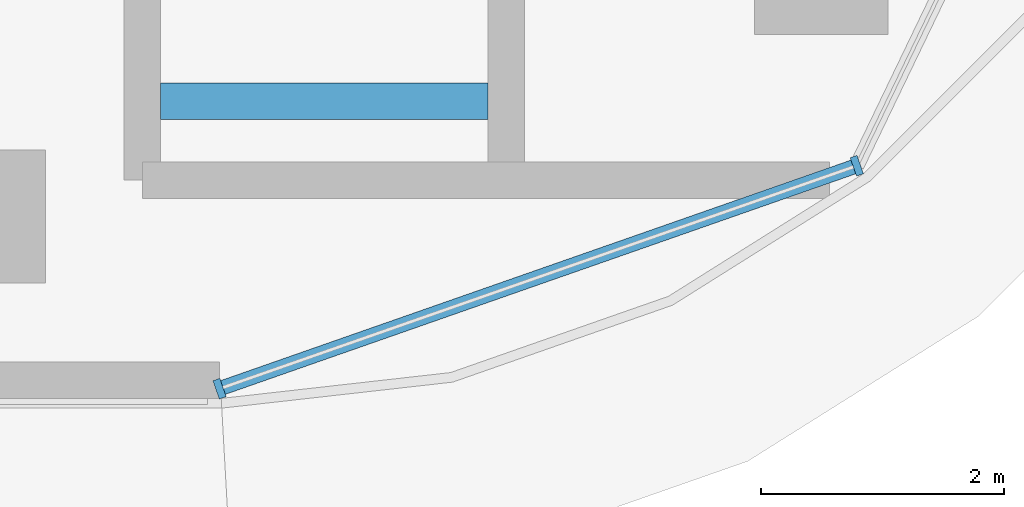
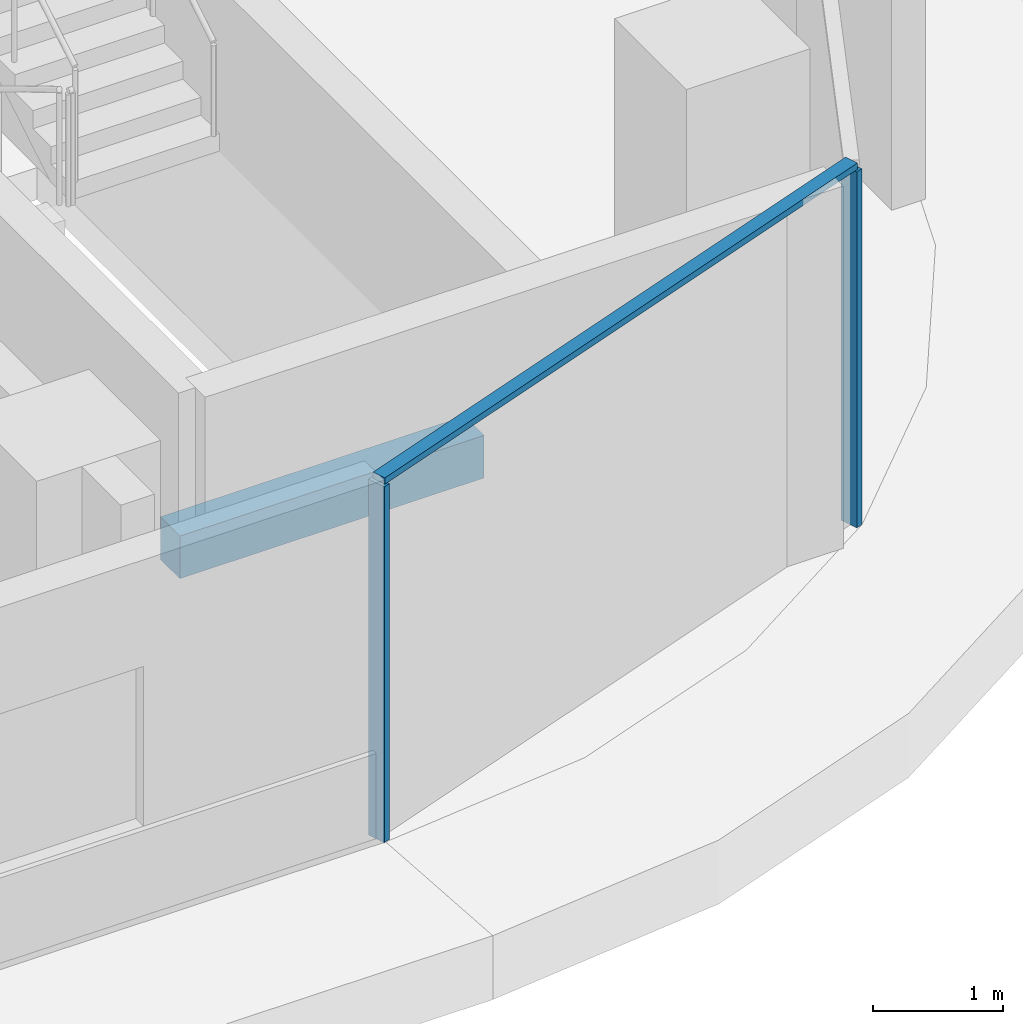
# One storey, part 3 of 24: 3 members, 1 beam, 1 element without a shape of its own.
"""IFC4 building model written with IfcOpenShell, lengths in metres."""

from ifc_helpers import new_model, si_unit, direction, frame, origin, origin_2d, place, context, subcontext, project, spatial, rectangle, extrude, material, material_profile, profile_set, type_object, element, aggregate, save


model = new_model("IFC4")

# Units and contexts
model_context = context("Model", 3, precision=1e-05, world=origin(), true_north=direction((0.0, 1.0)))
body_context = subcontext(model_context, "Body", "Model", "MODEL_VIEW")
ifc_project = project(units=[si_unit("LENGTHUNIT", "METRE"), si_unit("AREAUNIT", "SQUARE_METRE"), si_unit("VOLUMEUNIT", "CUBIC_METRE"), si_unit("PLANEANGLEUNIT", "RADIAN"), si_unit("MASSUNIT", "GRAM", prefix="KILO")], contexts=[model_context])

# Site, building, storey
site_placement = place(None, origin())
site = spatial("IfcSite", under=ifc_project, at=site_placement, CompositionType="ELEMENT")
building_placement = place(site_placement, origin())
building = spatial("IfcBuilding", under=site, at=building_placement, Name="Ogive Portal Towers", CompositionType="ELEMENT")
storey_placement = place(building_placement, frame((0.0, 0.0, 142.199951171875)))
storey = spatial("IfcBuildingStorey", under=building, at=storey_placement, Name="L34", CompositionType="ELEMENT", Elevation=142.199951171875)

# Beam
ifc_material_1 = material(Name="Concrete C40/50", Category="concrete")
ifc_material_profile_1 = material_profile(ifc_material_1, rectangle(XDim=0.300048828125, YDim=0.39990234375, at=origin_2d()), Name="RC 300x400")
ifc_profile_set_1 = profile_set([ifc_material_profile_1], Name="Concrete C40/50")
beam_type = type_object("IfcBeamType", Name="BEAM RC 300x400", PredefinedType="BEAM", material=ifc_profile_set_1)
beam_placement = place(storey_placement, frame((87.0, 22.449951171875, 1.449951171875), z_axis=(1.0, 0.0, 0.0), x_axis=(0.0, 1.0, 0.0)))
element("IfcBeam", 1, at=beam_placement, inside=storey, type_object=beam_type, Name="Landing beam L34", PredefinedType="BEAM", context=body_context, shape_type="SweptSolid", body=[
    extrude(rectangle(XDim=0.300048828125, YDim=0.39990234375, at=origin_2d()), origin(), (0.0, 0.0, 1.0), 2.699951171875),
])

# Curtain wall, members
ifc_material_2 = material(Name="Glass, clear low-iron insulated glazing", Category="glass")
curtain_wall_type = type_object("IfcCurtainWallType", Name="CW FRONT RIBBON 4500", PredefinedType="NOTDEFINED", material=ifc_material_2)
curtain_wall_placement = place(storey_placement, origin())
curtain_wall = element("IfcCurtainWall", 2, at=curtain_wall_placement, inside=storey, type_object=curtain_wall_type, Name="A:L34:f07:cwa", PredefinedType="NOTDEFINED")
ifc_material_3 = material(Name="Aluminium 6063 anodised", Category="aluminium")
ifc_material_profile_2 = material_profile(ifc_material_3, rectangle(XDim=0.159912109375, YDim=0.06005859375, at=origin_2d()), Name="AL 60x160")
ifc_profile_set_2 = profile_set([ifc_material_profile_2], Name="Aluminium 6063 anodised")
member_type_1 = type_object("IfcMemberType", Name="CW MULLION 60x160", PredefinedType="MULLION", material=ifc_profile_set_2)
member_1_placement = place(storey_placement, frame((87.486328125, 20.080078125, 0.0), z_axis=(0.0, 0.0, 1.0), x_axis=(-0.33027906196, 0.943883330307, 0.0)))
member_1 = element("IfcMember", 3, at=member_1_placement, type_object=member_type_1, Name="mullion", PredefinedType="MULLION", context=body_context, shape_type="SweptSolid", body=[
    extrude(rectangle(XDim=0.159912109375, YDim=0.06005859375, at=origin_2d()), origin(), (0.0, 0.0, 1.0), 3.340087890625),
])
member_2_placement = place(storey_placement, frame((92.741943359375, 21.9189453125, 0.0), z_axis=(0.0, 0.0, 1.0), x_axis=(-0.33027906196, 0.943883330307, 0.0)))
member_2 = element("IfcMember", 4, at=member_2_placement, type_object=member_type_1, Name="mullion", PredefinedType="MULLION", context=body_context, shape_type="SweptSolid", body=[
    extrude(rectangle(XDim=0.159912109375, YDim=0.06005859375, at=origin_2d()), origin(), (0.0, 0.0, 1.0), 3.340087890625),
])
ifc_material_profile_3 = material_profile(ifc_material_3, rectangle(XDim=0.1201171875, YDim=0.06005859375, at=origin_2d()), Name="AL 120x60")
ifc_profile_set_3 = profile_set([ifc_material_profile_3], Name="Aluminium 6063 anodised")
member_type_2 = type_object("IfcMemberType", Name="CW TRANSOM 60x120", PredefinedType="USERDEFINED", material=ifc_profile_set_3)
member_3_placement = place(storey_placement, frame((87.486328125, 20.080078125, 3.3701171875), z_axis=(0.943891847017, 0.330254721593, 0.0), x_axis=(-0.330254721593, 0.943891847017, 0.0)))
member_3 = element("IfcMember", 5, at=member_3_placement, type_object=member_type_2, Name="transom", ObjectType="TRANSOM", PredefinedType="USERDEFINED", context=body_context, shape_type="SweptSolid", body=[
    extrude(rectangle(XDim=0.1201171875, YDim=0.06005859375, at=origin_2d()), origin(), (0.0, 0.0, 1.0), 5.568115234375),
])
aggregate(curtain_wall, [member_3, member_1, member_2])

save(model, "model.ifc")
